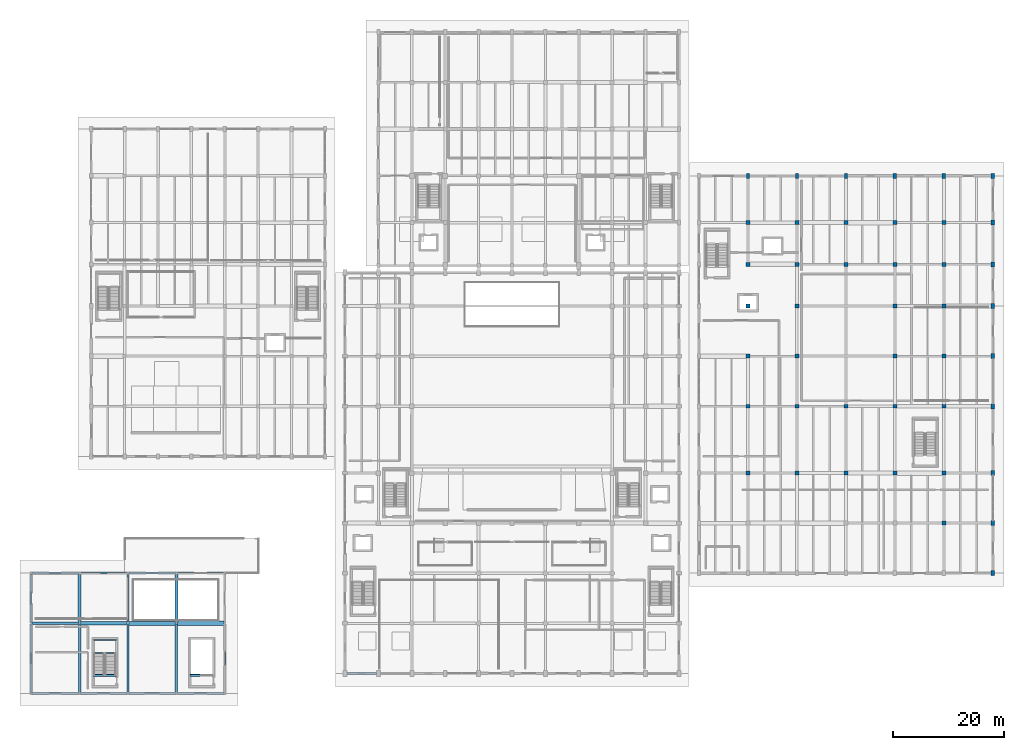
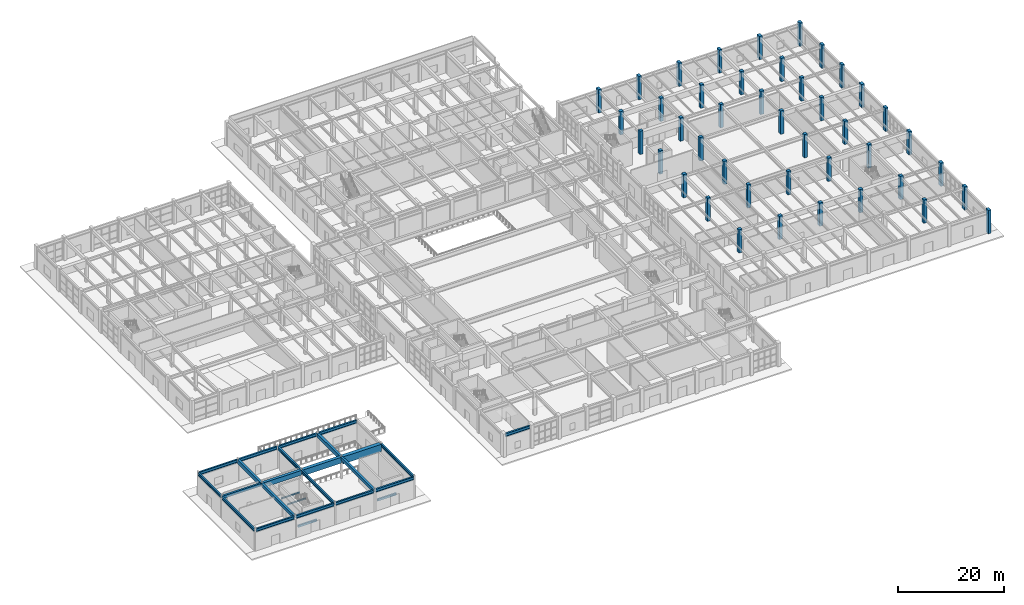
# One storey, part 4 of 91: 43 columns, 26 beams.
"""IFC4 building model written with IfcOpenShell, lengths in metres."""

from ifc_helpers import new_model, si_unit, direction, frame, origin, origin_2d, place, context, subcontext, project, spatial, rectangle, i_section, extrude, material, material_profile, profile_set, type_object, element, save


model = new_model("IFC4")

# Units and contexts
model_context = context("Model", 3, precision=1e-05, world=origin(), true_north=direction((0.0, 1.0)))
body_context = subcontext(model_context, "Body", "Model", "MODEL_VIEW")
ifc_project = project(units=[si_unit("LENGTHUNIT", "METRE"), si_unit("AREAUNIT", "SQUARE_METRE"), si_unit("VOLUMEUNIT", "CUBIC_METRE"), si_unit("PLANEANGLEUNIT", "RADIAN"), si_unit("MASSUNIT", "GRAM", prefix="KILO")], contexts=[model_context])

# Site, building, storey
site_placement = place(None, origin())
site = spatial("IfcSite", under=ifc_project, at=site_placement, CompositionType="ELEMENT")
building_placement = place(site_placement, origin())
building = spatial("IfcBuilding", under=site, at=building_placement, Name="Vaelkrest Opera House", CompositionType="ELEMENT")
storey_placement = place(building_placement, origin())
storey = spatial("IfcBuildingStorey", under=building, at=storey_placement, Name="L00", CompositionType="ELEMENT", Elevation=0.0)

# Columns
ifc_material_1 = material(Name="Concrete C50/60", Category="concrete")
ifc_material_profile_1 = material_profile(ifc_material_1, rectangle(XDim=0.699951171875, YDim=0.699951171875, at=origin_2d()), Name="RC700X700")
ifc_profile_set_1 = profile_set([ifc_material_profile_1], Name="Concrete C50/60")
column_type_1 = type_object("IfcColumnType", Name="C03", PredefinedType="COLUMN", material=ifc_profile_set_1)
for number, where, z_axis, x_axis, name in (
    (1, (42.39990234375, -19.800048828125, 0.0), (0.0, 0.0, 1.0), (1.0, 0.0, 0.0), "Column COL-V4-L00-1192"),
    (2, (42.39990234375, -7.800048828125, 0.0), (0.0, 0.0, 1.0), (1.0, 0.0, 0.0), "Column COL-V4-L00-1193"),
    (3, (42.39990234375, 1.199951171875, 0.0), (0.0, 0.0, 1.0), (1.0, 0.0, 0.0), "Column COL-V4-L00-1194"),
    (4, (42.39990234375, 10.199951171875, 0.0), (0.0, 0.0, 1.0), (1.0, 0.0, 0.0), "Column COL-V4-L00-1195"),
    (5, (42.39990234375, 17.699951171875, 0.0), (0.0, 0.0, 1.0), (1.0, 0.0, 0.0), "Column COL-V4-L00-1196"),
    (6, (42.39990234375, 25.199951171875, 0.0), (0.0, 0.0, 1.0), (1.0, 0.0, 0.0), "Column COL-V4-L00-1197"),
    (7, (51.199951171875, -19.800048828125, 0.0), (0.0, 0.0, 1.0), (1.0, 0.0, 0.0), "Column COL-V4-L00-1201"),
    (8, (51.199951171875, -7.800048828125, 0.0), (0.0, 0.0, 1.0), (1.0, 0.0, 0.0), "Column COL-V4-L00-1202"),
    (9, (51.199951171875, 1.199951171875, 0.0), (0.0, 0.0, 1.0), (1.0, 0.0, 0.0), "Column COL-V4-L00-1203"),
    (10, (51.199951171875, 10.199951171875, 0.0), (0.0, 0.0, 1.0), (1.0, 0.0, 0.0), "Column COL-V4-L00-1204"),
    (11, (51.199951171875, 17.699951171875, 0.0), (0.0, 0.0, 1.0), (1.0, 0.0, 0.0), "Column COL-V4-L00-1205"),
    (12, (51.199951171875, 25.199951171875, 0.0), (0.0, 0.0, 1.0), (1.0, 0.0, 0.0), "Column COL-V4-L00-1206"),
    (13, (60.0, -19.800048828125, 0.0), (0.0, 0.0, 1.0), (1.0, 0.0, 0.0), "Column COL-V4-L00-1210"),
    (14, (60.0, -7.800048828125, 0.0), (0.0, 0.0, 1.0), (1.0, 0.0, 0.0), "Column COL-V4-L00-1211"),
    (15, (60.0, 17.699951171875, 0.0), (0.0, 0.0, 1.0), (1.0, 0.0, 0.0), "Column COL-V4-L00-1212"),
    (16, (60.0, 25.199951171875, 0.0), (0.0, 0.0, 1.0), (1.0, 0.0, 0.0), "Column COL-V4-L00-1213"),
    (17, (68.800048828125, -19.800048828125, 0.0), (0.0, 0.0, 1.0), (1.0, 0.0, 0.0), "Column COL-V4-L00-1217"),
    (18, (68.800048828125, -7.800048828125, 0.0), (0.0, 0.0, 1.0), (1.0, 0.0, 0.0), "Column COL-V4-L00-1218"),
    (19, (68.800048828125, 1.199951171875, 0.0), (0.0, 0.0, 1.0), (1.0, 0.0, 0.0), "Column COL-V4-L00-1219"),
    (20, (68.800048828125, 10.199951171875, 0.0), (0.0, 0.0, 1.0), (1.0, 0.0, 0.0), "Column COL-V4-L00-1220"),
    (21, (68.800048828125, 17.699951171875, 0.0), (0.0, 0.0, 1.0), (1.0, 0.0, 0.0), "Column COL-V4-L00-1221"),
    (22, (68.800048828125, 25.199951171875, 0.0), (0.0, 0.0, 1.0), (1.0, 0.0, 0.0), "Column COL-V4-L00-1222"),
    (23, (77.60009765625, -28.800048828125, 0.0), (0.0, 0.0, 1.0), (1.0, 0.0, 0.0), "Column COL-V4-L00-1225"),
    (24, (77.60009765625, -19.800048828125, 0.0), (0.0, 0.0, 1.0), (1.0, 0.0, 0.0), "Column COL-V4-L00-1226"),
    (25, (77.60009765625, -7.800048828125, 0.0), (0.0, 0.0, 1.0), (1.0, 0.0, 0.0), "Column COL-V4-L00-1227"),
    (26, (77.60009765625, 1.199951171875, 0.0), (0.0, 0.0, 1.0), (1.0, 0.0, 0.0), "Column COL-V4-L00-1228"),
    (27, (77.60009765625, 10.199951171875, 0.0), (0.0, 0.0, 1.0), (1.0, 0.0, 0.0), "Column COL-V4-L00-1229"),
    (28, (77.60009765625, 17.699951171875, 0.0), (0.0, 0.0, 1.0), (1.0, 0.0, 0.0), "Column COL-V4-L00-1230"),
    (29, (77.60009765625, 25.199951171875, 0.0), (0.0, 0.0, 1.0), (1.0, 0.0, 0.0), "Column COL-V4-L00-1231"),
):
    element("IfcColumn", number, at=place(storey_placement, frame(where, z_axis=z_axis, x_axis=x_axis)), inside=storey, type_object=column_type_1, Name=name, PredefinedType="COLUMN", context=body_context, shape_type="SweptSolid", body=[
        extrude(rectangle(XDim=0.699951171875, YDim=0.699951171875, at=origin_2d()), origin(), (0.0, 0.0, 1.0), 5.39990234375),
    ])
ifc_material_profile_2 = material_profile(ifc_material_1, rectangle(XDim=0.60009765625, YDim=0.89990234375, at=origin_2d()), Name="RC600X900")
ifc_profile_set_2 = profile_set([ifc_material_profile_2], Name="Concrete C50/60")
column_type_2 = type_object("IfcColumnType", Name="C06", PredefinedType="COLUMN", material=ifc_profile_set_2)
for number, where, z_axis, x_axis, name in (
    (30, (42.39990234375, 33.60009765625, 0.0), (0.0, 0.0, 1.0), (1.0, 0.0, 0.0), "Column COL-V4-L00-1198"),
    (31, (51.199951171875, 33.60009765625, 0.0), (0.0, 0.0, 1.0), (1.0, 0.0, 0.0), "Column COL-V4-L00-1207"),
    (32, (60.0, 33.60009765625, 0.0), (0.0, 0.0, 1.0), (1.0, 0.0, 0.0), "Column COL-V4-L00-1214"),
    (33, (68.800048828125, 33.60009765625, 0.0), (0.0, 0.0, 1.0), (1.0, 0.0, 0.0), "Column COL-V4-L00-1223"),
    (34, (77.60009765625, 33.60009765625, 0.0), (0.0, 0.0, 1.0), (1.0, 0.0, 0.0), "Column COL-V4-L00-1232"),
    (35, (86.39990234375, -37.800048828125, 0.0), (0.0, 0.0, 1.0), (1.0, 0.0, 0.0), "Column COL-V4-L00-1233"),
    (36, (86.39990234375, -28.800048828125, 0.0), (0.0, 0.0, 1.0), (1.0, 0.0, 0.0), "Column COL-V4-L00-1234"),
    (37, (86.39990234375, -19.800048828125, 0.0), (0.0, 0.0, 1.0), (1.0, 0.0, 0.0), "Column COL-V4-L00-1235"),
    (38, (86.39990234375, -7.800048828125, 0.0), (0.0, 0.0, 1.0), (1.0, 0.0, 0.0), "Column COL-V4-L00-1236"),
    (39, (86.39990234375, 1.199951171875, 0.0), (0.0, 0.0, 1.0), (1.0, 0.0, 0.0), "Column COL-V4-L00-1237"),
    (40, (86.39990234375, 10.199951171875, 0.0), (0.0, 0.0, 1.0), (1.0, 0.0, 0.0), "Column COL-V4-L00-1238"),
    (41, (86.39990234375, 17.699951171875, 0.0), (0.0, 0.0, 1.0), (1.0, 0.0, 0.0), "Column COL-V4-L00-1239"),
    (42, (86.39990234375, 25.199951171875, 0.0), (0.0, 0.0, 1.0), (1.0, 0.0, 0.0), "Column COL-V4-L00-1240"),
    (43, (86.39990234375, 33.60009765625, 0.0), (0.0, 0.0, 1.0), (1.0, 0.0, 0.0), "Column COL-V4-L00-1241"),
):
    element("IfcColumn", number, at=place(storey_placement, frame(where, z_axis=z_axis, x_axis=x_axis)), inside=storey, type_object=column_type_2, Name=name, PredefinedType="COLUMN", context=body_context, shape_type="SweptSolid", body=[
        extrude(rectangle(XDim=0.60009765625, YDim=0.89990234375, at=origin_2d()), origin(), (0.0, 0.0, 1.0), 5.39990234375),
    ])

# Beams
ifc_material_profile_3 = material_profile(ifc_material_1, rectangle(XDim=0.39990234375, YDim=0.64990234375, at=origin_2d()), Name="RCB400X650")
ifc_profile_set_3 = profile_set([ifc_material_profile_3], Name="Concrete C50/60")
beam_type_1 = type_object("IfcBeamType", Name="B01", PredefinedType="BEAM", material=ifc_profile_set_3)
beam_1_placement = place(storey_placement, frame((-86.215087890625, -46.800048828125, 4.7548828125), z_axis=(1.0, 0.0, 0.0), x_axis=(0.0, 1.0, 0.0)))
element("IfcBeam", 44, at=beam_1_placement, inside=storey, type_object=beam_type_1, Name="Beam BM-V5-L00-2469", PredefinedType="BEAM", context=body_context, shape_type="SweptSolid", body=[
    extrude(rectangle(XDim=0.39990234375, YDim=0.64990234375, at=origin_2d()), origin(), (0.0, 0.0, 1.0), 8.328125),
])
ifc_material_profile_4 = material_profile(ifc_material_1, rectangle(XDim=0.449951171875, YDim=0.75, at=origin_2d()), Name="RCB450X750")
ifc_profile_set_4 = profile_set([ifc_material_profile_4], Name="Concrete C50/60")
beam_type_2 = type_object("IfcBeamType", Name="B02", PredefinedType="BEAM", material=ifc_profile_set_4)
for number, where, z_axis, x_axis, name in (
    (45, (-77.699951171875, -59.219970703125, 4.705078125), (0.0, 1.0, 0.0), (-1.0, 0.0, 0.0), "Beam BM-V5-L00-2479"),
    (46, (-60.300048828125, -59.219970703125, 4.705078125), (0.0, 1.0, 0.0), (-1.0, 0.0, 0.0), "Beam BM-V5-L00-2483"),
):
    element("IfcBeam", number, at=place(storey_placement, frame(where, z_axis=z_axis, x_axis=x_axis)), inside=storey, type_object=beam_type_2, Name=name, PredefinedType="BEAM", context=body_context, shape_type="SweptSolid", body=[
        extrude(rectangle(XDim=0.449951171875, YDim=0.75, at=origin_2d()), origin(), (0.0, 0.0, 1.0), 12.23388671875),
    ])
ifc_material_profile_5 = material_profile(ifc_material_1, rectangle(XDim=0.5, YDim=0.85009765625, at=origin_2d()), Name="RCB500X850")
ifc_profile_set_5 = profile_set([ifc_material_profile_5], Name="Concrete C50/60")
beam_type_3 = type_object("IfcBeamType", Name="B03", PredefinedType="BEAM", material=ifc_profile_set_5)
for number, where, z_axis, x_axis, name in (
    (47, (-77.699951171875, -46.614013671875, 4.655029296875), (0.0, 1.0, 0.0), (-1.0, 0.0, 0.0), "Beam BM-V5-L00-2480"),
    (48, (-60.300048828125, -46.614013671875, 4.655029296875), (0.0, 1.0, 0.0), (-1.0, 0.0, 0.0), "Beam BM-V5-L00-2484"),
):
    element("IfcBeam", number, at=place(storey_placement, frame(where, z_axis=z_axis, x_axis=x_axis)), inside=storey, type_object=beam_type_3, Name=name, PredefinedType="BEAM", context=body_context, shape_type="SweptSolid", body=[
        extrude(rectangle(XDim=0.5, YDim=0.85009765625, at=origin_2d()), origin(), (0.0, 0.0, 1.0), 8.634033203125),
    ])
ifc_material_profile_6 = material_profile(ifc_material_1, rectangle(XDim=0.60009765625, YDim=1.10009765625, at=origin_2d()), Name="RCB600X1100")
ifc_profile_set_6 = profile_set([ifc_material_profile_6], Name="Concrete C50/60")
beam_type_4 = type_object("IfcBeamType", Name="B05", PredefinedType="BEAM", material=ifc_profile_set_6)
beam_2_placement = place(storey_placement, frame((-77.512939453125, -46.800048828125, 4.530029296875), z_axis=(1.0, 0.0, 0.0), x_axis=(0.0, 1.0, 0.0)))
element("IfcBeam", 49, at=beam_2_placement, inside=storey, type_object=beam_type_4, Name="Beam BM-V5-L00-2470", PredefinedType="BEAM", context=body_context, shape_type="SweptSolid", body=[
    extrude(rectangle(XDim=0.60009765625, YDim=1.10009765625, at=origin_2d()), origin(), (0.0, 0.0, 1.0), 8.325927734375),
])
ifc_material_profile_7 = material_profile(ifc_material_1, rectangle(XDim=0.699951171875, YDim=1.35009765625, at=origin_2d()), Name="RCB700X1350")
ifc_profile_set_7 = profile_set([ifc_material_profile_7], Name="Concrete C50/60")
beam_type_5 = type_object("IfcBeamType", Name="B06", PredefinedType="BEAM", material=ifc_profile_set_7)
beam_3_placement = place(storey_placement, frame((-68.81298828125, -46.800048828125, 4.405029296875), z_axis=(1.0, 0.0, 0.0), x_axis=(0.0, 1.0, 0.0)))
element("IfcBeam", 50, at=beam_3_placement, inside=storey, type_object=beam_type_5, Name="Beam BM-V5-L00-2471", PredefinedType="BEAM", context=body_context, shape_type="SweptSolid", body=[
    extrude(rectangle(XDim=0.699951171875, YDim=1.35009765625, at=origin_2d()), origin(), (0.0, 0.0, 1.0), 8.325927734375),
])
ifc_material_profile_8 = material_profile(ifc_material_1, rectangle(XDim=0.800048828125, YDim=1.64990234375, at=origin_2d()), Name="RCB800X1650")
ifc_profile_set_8 = profile_set([ifc_material_profile_8], Name="Concrete C50/60")
beam_type_6 = type_object("IfcBeamType", Name="B07", PredefinedType="BEAM", material=ifc_profile_set_8)
beam_4_placement = place(storey_placement, frame((-60.113037109375, -46.800048828125, 4.2548828125), z_axis=(1.0, 0.0, 0.0), x_axis=(0.0, 1.0, 0.0)))
element("IfcBeam", 51, at=beam_4_placement, inside=storey, type_object=beam_type_6, Name="Beam BM-V5-L00-2472", PredefinedType="BEAM", context=body_context, shape_type="SweptSolid", body=[
    extrude(rectangle(XDim=0.800048828125, YDim=1.64990234375, at=origin_2d()), origin(), (0.0, 0.0, 1.0), 8.328125),
])
ifc_material_2 = material(Name="Steel A992 Gr50", Category="steel")
ifc_material_profile_9 = material_profile(ifc_material_2, i_section(OverallWidth=0.35498046875, OverallDepth=0.695068359375, WebThickness=0.015380859375, FlangeThickness=0.02490234375, at=origin_2d()), Name="W27X146")
ifc_profile_set_9 = profile_set([ifc_material_profile_9], Name="Steel A992 Gr50")
beam_type_7 = type_object("IfcBeamType", Name="B10", PredefinedType="BEAM", material=ifc_profile_set_9)
beam_5_placement = place(storey_placement, frame((-69.0, -59.219970703125, 4.732421875), z_axis=(0.0, 1.0, 0.0), x_axis=(-1.0, 0.0, 0.0)))
element("IfcBeam", 52, at=beam_5_placement, inside=storey, type_object=beam_type_7, Name="Beam BM-V5-L00-2481", PredefinedType="BEAM", context=body_context, shape_type="SweptSolid", body=[
    extrude(i_section(OverallWidth=0.35498046875, OverallDepth=0.695068359375, WebThickness=0.015380859375, FlangeThickness=0.02490234375, at=origin_2d()), origin(), (0.0, 0.0, 1.0), 12.23388671875),
])
ifc_material_profile_10 = material_profile(ifc_material_2, i_section(OverallWidth=0.35791015625, OverallDepth=0.7060546875, WebThickness=0.018310546875, FlangeThickness=0.0302734375, at=origin_2d()), Name="W27X178")
ifc_profile_set_10 = profile_set([ifc_material_profile_10], Name="Steel A992 Gr50")
beam_type_8 = type_object("IfcBeamType", Name="B14", PredefinedType="BEAM", material=ifc_profile_set_10)
beam_6_placement = place(storey_placement, frame((-69.0, -46.614013671875, 4.72705078125), z_axis=(0.0, 1.0, 0.0), x_axis=(-1.0, 0.0, 0.0)))
element("IfcBeam", 53, at=beam_6_placement, inside=storey, type_object=beam_type_8, Name="Beam BM-V5-L00-2482", PredefinedType="BEAM", context=body_context, shape_type="SweptSolid", body=[
    extrude(i_section(OverallWidth=0.35791015625, OverallDepth=0.7060546875, WebThickness=0.018310546875, FlangeThickness=0.0302734375, at=origin_2d()), origin(), (0.0, 0.0, 1.0), 8.634033203125),
])
ifc_material_profile_11 = material_profile(ifc_material_2, i_section(OverallWidth=0.202880859375, OverallDepth=0.302978515625, WebThickness=0.007568359375, FlangeThickness=0.01318359375, at=origin_2d()), Name="W12X40")
ifc_profile_set_11 = profile_set([ifc_material_profile_11], Name="Steel A992 Gr50")
beam_type_9 = type_object("IfcBeamType", Name="J02", PredefinedType="JOIST", material=ifc_profile_set_11)
for number, where, z_axis, x_axis, name in (
    (54, (-75.219970703125, -52.110107421875, 2.348388671875), (1.0, 0.0, 0.0), (0.0, 1.0, 0.0), "Stair landing bearer beam ST11 L00-1N"),
    (55, (-75.219970703125, -49.820068359375, 2.348388671875), (1.0, 0.0, 0.0), (0.0, 1.0, 0.0), "Stair landing bearer beam ST11 L00-1F"),
):
    element("IfcBeam", number, at=place(storey_placement, frame(where, z_axis=z_axis, x_axis=x_axis)), inside=storey, type_object=beam_type_9, Name=name, PredefinedType="JOIST", context=body_context, shape_type="SweptSolid", body=[
        extrude(i_section(OverallWidth=0.202880859375, OverallDepth=0.302978515625, WebThickness=0.007568359375, FlangeThickness=0.01318359375, at=origin_2d()), origin(), (0.0, 0.0, 1.0), 4.139892578125),
    ])
ifc_material_profile_12 = material_profile(ifc_material_1, rectangle(XDim=0.35009765625, YDim=0.449951171875, at=origin_2d()), Name="RCB350X450")
ifc_profile_set_12 = profile_set([ifc_material_profile_12], Name="Concrete C50/60")
beam_type_10 = type_object("IfcBeamType", Name="LN01", PredefinedType="LINTEL", material=ifc_profile_set_12)
beam_7_placement = place(storey_placement, frame((-75.219970703125, -56.14990234375, -0.22509765625), z_axis=(1.0, 0.0, 0.0), x_axis=(0.0, 1.0, 0.0)))
element("IfcBeam", 56, at=beam_7_placement, inside=storey, type_object=beam_type_10, Name="Stairwell trimmer beam ST11 L00", PredefinedType="LINTEL", context=body_context, shape_type="SweptSolid", body=[
    extrude(rectangle(XDim=0.35009765625, YDim=0.449951171875, at=origin_2d()), origin(), (0.0, 0.0, 1.0), 4.139892578125),
])
beam_8_placement = place(storey_placement, frame((-57.820068359375, -56.14990234375, -0.22509765625), z_axis=(1.0, 0.0, 0.0), x_axis=(0.0, 1.0, 0.0)))
element("IfcBeam", 57, at=beam_8_placement, inside=storey, type_object=beam_type_10, Name="Stairwell trimmer beam ST12 L00", PredefinedType="LINTEL", context=body_context, shape_type="SweptSolid", body=[
    extrude(rectangle(XDim=0.35009765625, YDim=0.449951171875, at=origin_2d()), origin(), (0.0, 0.0, 1.0), 4.14013671875),
])
ifc_material_profile_13 = material_profile(ifc_material_2, i_section(OverallWidth=0.323974609375, OverallDepth=0.611083984375, WebThickness=0.0126953125, FlangeThickness=0.01904296875, at=origin_2d()), Name="W24X104")
ifc_profile_set_13 = profile_set([ifc_material_profile_13], Name="Steel A992 Gr50")
beam_type_11 = type_object("IfcBeamType", Name="SP01", PredefinedType="SPANDREL", material=ifc_profile_set_13)
beam_9_placement = place(storey_placement, frame((-86.39990234375, -46.6201171875, 4.7744140625), z_axis=(0.0, 1.0, 0.0), x_axis=(-1.0, 0.0, 0.0)))
element("IfcBeam", 58, at=beam_9_placement, inside=storey, type_object=beam_type_11, Name="Beam BM-V5-L00-2478", PredefinedType="SPANDREL", context=body_context, shape_type="SweptSolid", body=[
    extrude(i_section(OverallWidth=0.323974609375, OverallDepth=0.611083984375, WebThickness=0.0126953125, FlangeThickness=0.01904296875, at=origin_2d()), origin(), (0.0, 0.0, 1.0), 8.64013671875),
])
ifc_material_profile_14 = material_profile(ifc_material_2, i_section(OverallWidth=0.35498046875, OverallDepth=0.695068359375, WebThickness=0.015380859375, FlangeThickness=0.02490234375, at=origin_2d()), Name="W27X146")
ifc_profile_set_14 = profile_set([ifc_material_profile_14], Name="Steel A992 Gr50")
beam_type_12 = type_object("IfcBeamType", Name="SP02", PredefinedType="SPANDREL", material=ifc_profile_set_14)
beam_10_placement = place(storey_placement, frame((-29.64990234375, -55.800048828125, 4.732421875), z_axis=(1.0, 0.0, 0.0), x_axis=(0.0, 1.0, 0.0)))
element("IfcBeam", 59, at=beam_10_placement, inside=storey, type_object=beam_type_12, Name="Beam BM-V1-L00-0085", PredefinedType="SPANDREL", context=body_context, shape_type="SweptSolid", body=[
    extrude(i_section(OverallWidth=0.35498046875, OverallDepth=0.695068359375, WebThickness=0.015380859375, FlangeThickness=0.02490234375, at=origin_2d()), origin(), (0.0, 0.0, 1.0), 5.2998046875),
])
beam_11_placement = place(storey_placement, frame((-86.215087890625, -59.39990234375, 4.732421875), z_axis=(1.0, 0.0, 0.0), x_axis=(0.0, 1.0, 0.0)))
element("IfcBeam", 60, at=beam_11_placement, inside=storey, type_object=beam_type_12, Name="Beam BM-V5-L00-2465", PredefinedType="SPANDREL", context=body_context, shape_type="SweptSolid", body=[
    extrude(i_section(OverallWidth=0.35498046875, OverallDepth=0.695068359375, WebThickness=0.015380859375, FlangeThickness=0.02490234375, at=origin_2d()), origin(), (0.0, 0.0, 1.0), 8.330078125),
])
for number, where, z_axis, x_axis, name in (
    (61, (-77.514892578125, -59.39990234375, 4.732421875), (1.0, 0.0, 0.0), (0.0, 1.0, 0.0), "Beam BM-V5-L00-2466"),
    (62, (-68.81494140625, -59.39990234375, 4.732421875), (1.0, 0.0, 0.0), (0.0, 1.0, 0.0), "Beam BM-V5-L00-2467"),
):
    element("IfcBeam", number, at=place(storey_placement, frame(where, z_axis=z_axis, x_axis=x_axis)), inside=storey, type_object=beam_type_12, Name=name, PredefinedType="SPANDREL", context=body_context, shape_type="SweptSolid", body=[
        extrude(i_section(OverallWidth=0.35498046875, OverallDepth=0.695068359375, WebThickness=0.015380859375, FlangeThickness=0.02490234375, at=origin_2d()), origin(), (0.0, 0.0, 1.0), 8.329833984375),
    ])
for number, where, z_axis, x_axis, name in (
    (63, (-60.114990234375, -59.39990234375, 4.732421875), (1.0, 0.0, 0.0), (0.0, 1.0, 0.0), "Beam BM-V5-L00-2468"),
    (64, (-86.215087890625, -37.800048828125, 4.732421875), (1.0, 0.0, 0.0), (0.0, 1.0, 0.0), "Beam BM-V5-L00-2473"),
):
    element("IfcBeam", number, at=place(storey_placement, frame(where, z_axis=z_axis, x_axis=x_axis)), inside=storey, type_object=beam_type_12, Name=name, PredefinedType="SPANDREL", context=body_context, shape_type="SweptSolid", body=[
        extrude(i_section(OverallWidth=0.35498046875, OverallDepth=0.695068359375, WebThickness=0.015380859375, FlangeThickness=0.02490234375, at=origin_2d()), origin(), (0.0, 0.0, 1.0), 8.330078125),
    ])
for number, where, z_axis, x_axis, name in (
    (65, (-77.514892578125, -37.800048828125, 4.732421875), (1.0, 0.0, 0.0), (0.0, 1.0, 0.0), "Beam BM-V5-L00-2474"),
    (66, (-68.81494140625, -37.800048828125, 4.732421875), (1.0, 0.0, 0.0), (0.0, 1.0, 0.0), "Beam BM-V5-L00-2475"),
):
    element("IfcBeam", number, at=place(storey_placement, frame(where, z_axis=z_axis, x_axis=x_axis)), inside=storey, type_object=beam_type_12, Name=name, PredefinedType="SPANDREL", context=body_context, shape_type="SweptSolid", body=[
        extrude(i_section(OverallWidth=0.35498046875, OverallDepth=0.695068359375, WebThickness=0.015380859375, FlangeThickness=0.02490234375, at=origin_2d()), origin(), (0.0, 0.0, 1.0), 8.329833984375),
    ])
beam_12_placement = place(storey_placement, frame((-60.114990234375, -37.800048828125, 4.732421875), z_axis=(1.0, 0.0, 0.0), x_axis=(0.0, 1.0, 0.0)))
element("IfcBeam", 67, at=beam_12_placement, inside=storey, type_object=beam_type_12, Name="Beam BM-V5-L00-2476", PredefinedType="SPANDREL", context=body_context, shape_type="SweptSolid", body=[
    extrude(i_section(OverallWidth=0.35498046875, OverallDepth=0.695068359375, WebThickness=0.015380859375, FlangeThickness=0.02490234375, at=origin_2d()), origin(), (0.0, 0.0, 1.0), 8.330078125),
])
for number, where, z_axis, x_axis, name in (
    (68, (-86.39990234375, -59.219970703125, 4.732421875), (0.0, 1.0, 0.0), (-1.0, 0.0, 0.0), "Beam BM-V5-L00-2477"),
    (69, (-51.60009765625, -59.219970703125, 4.732421875), (0.0, 1.0, 0.0), (-1.0, 0.0, 0.0), "Beam BM-V5-L00-2485"),
):
    element("IfcBeam", number, at=place(storey_placement, frame(where, z_axis=z_axis, x_axis=x_axis)), inside=storey, type_object=beam_type_12, Name=name, PredefinedType="SPANDREL", context=body_context, shape_type="SweptSolid", body=[
        extrude(i_section(OverallWidth=0.35498046875, OverallDepth=0.695068359375, WebThickness=0.015380859375, FlangeThickness=0.02490234375, at=origin_2d()), origin(), (0.0, 0.0, 1.0), 12.239990234375),
    ])

save(model, "model.ifc")
